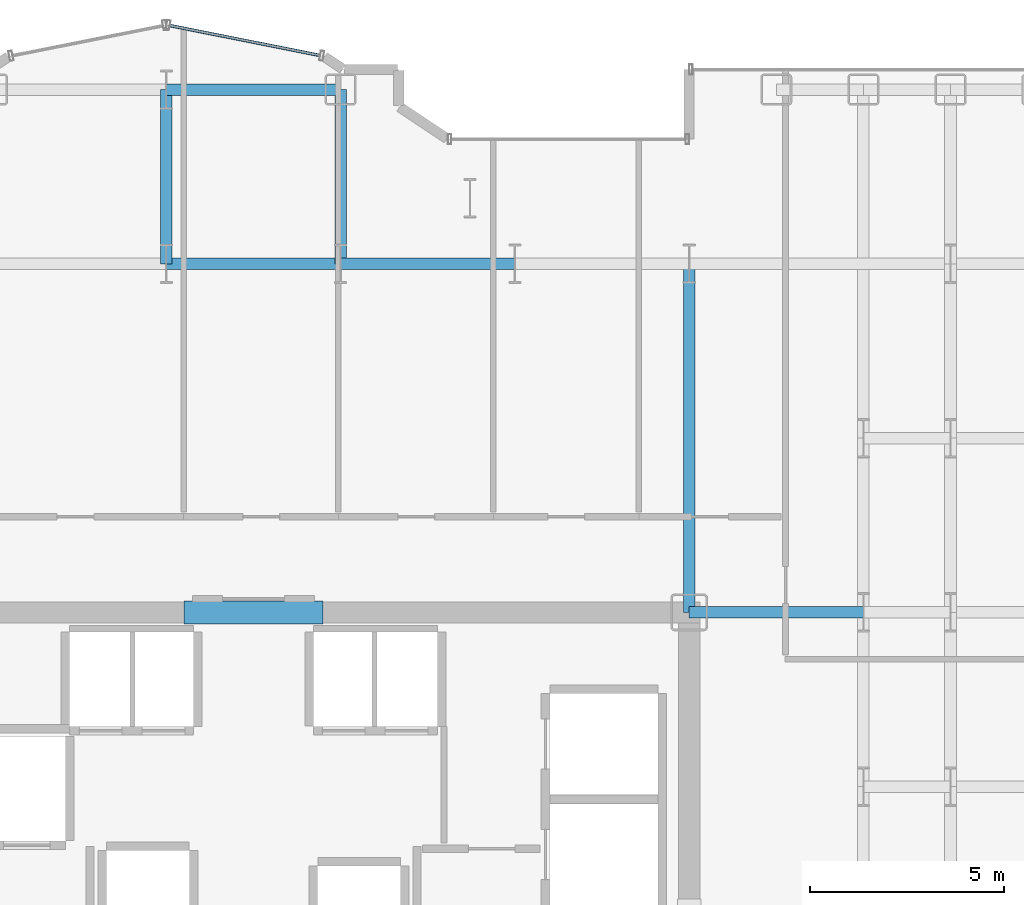
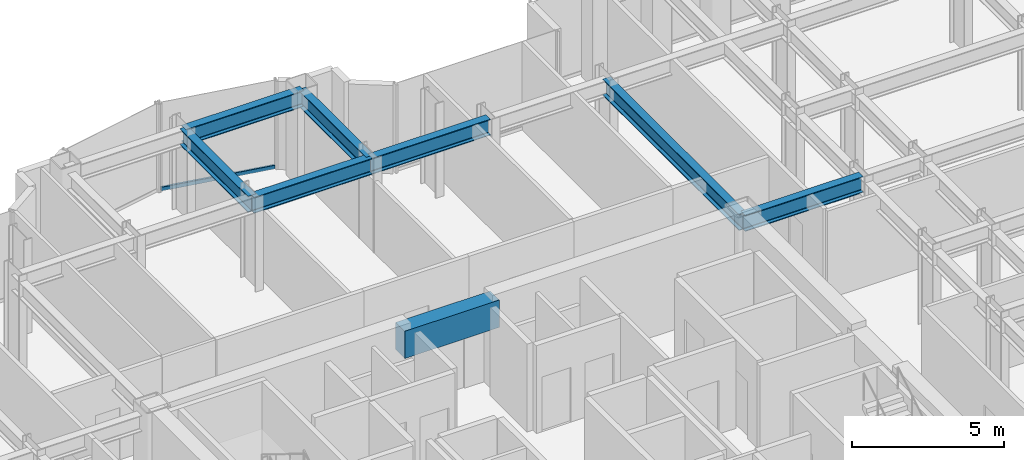
# One storey, part 11 of 26: 8 beams, 1 member, 1 element without a shape of its own.
"""IFC4 building model written with IfcOpenShell, lengths in metres."""

from ifc_helpers import new_model, si_unit, direction, frame, origin, origin_2d, place, context, subcontext, project, spatial, rectangle, hollow_rectangle, i_section, extrude, source, transform, mapped, material, layer, layer_set, material_profile, profile_set, type_object, element, aggregate, save


model = new_model("IFC4")

# Units and contexts
model_context = context("Model", 3, precision=1e-05, world=origin(), true_north=direction((0.0, 1.0)))
body_context = subcontext(model_context, "Body", "Model", "MODEL_VIEW")
ifc_project = project(units=[si_unit("LENGTHUNIT", "METRE"), si_unit("AREAUNIT", "SQUARE_METRE"), si_unit("VOLUMEUNIT", "CUBIC_METRE"), si_unit("PLANEANGLEUNIT", "RADIAN"), si_unit("MASSUNIT", "GRAM", prefix="KILO")], contexts=[model_context])

# Site, building, storey
site_placement = place(None, origin())
site = spatial("IfcSite", under=ifc_project, at=site_placement, CompositionType="ELEMENT")
building_placement = place(site_placement, origin())
building = spatial("IfcBuilding", under=site, at=building_placement, Name="Nefas-Gora Pilgrimage Tower", CompositionType="ELEMENT")
storey_placement = place(building_placement, frame((0.0, 0.0, 121.199951171875)))
storey = spatial("IfcBuildingStorey", under=building, at=storey_placement, Name="L29", CompositionType="ELEMENT", Elevation=121.199951171875)

# Beams
ifc_material_1 = material(Name="Concrete C60/75", Category="concrete")
ifc_material_profile_1 = material_profile(ifc_material_1, rectangle(XDim=0.60009765625, YDim=1.10009765625, at=origin_2d()), Name="RC 600x1100")
ifc_profile_set_1 = profile_set([ifc_material_profile_1], Name="Concrete C60/75")
beam_type_1 = type_object("IfcBeamType", Name="BM-LIN-RC1100", PredefinedType="LINTEL", material=ifc_profile_set_1)
shared_shape_1 = source(origin(), body_context, "Body", "SweptSolid", [
    extrude(rectangle(XDim=0.60009765625, YDim=1.10009765625, at=origin_2d()), origin(), (0.0, 0.0, 1.0), 3.60009765625),
])
beam_1_placement = place(storey_placement, frame((-1.800048828125, 9.0, 3.0), z_axis=(1.0, 0.0, 0.0), x_axis=(0.0, 1.0, 0.0)))
element("IfcBeam", 1, at=beam_1_placement, inside=storey, type_object=beam_type_1, Name="L29 Core Coupling Lintel Beam N", PredefinedType="LINTEL", context=body_context, shape_type="MappedRepresentation", body=[
    mapped(shared_shape_1, transform((0.0, 0.0, 0.0), x_axis=(1.0, 0.0, 0.0), y_axis=(0.0, 1.0, 0.0), z_axis=(0.0, 0.0, 1.0), scale=1.0)),
])
ifc_material_2 = material(Name="Steel S355", Category="steel")
ifc_material_profile_2 = material_profile(ifc_material_2, i_section(OverallWidth=0.300048828125, OverallDepth=0.64990234375, WebThickness=0.01611328125, FlangeThickness=0.031005859375, FilletRadius=0.027099609375, at=origin_2d()), Name="HEB 650")
ifc_profile_set_2 = profile_set([ifc_material_profile_2], Name="Steel S355")
beam_type_2 = type_object("IfcBeamType", Name="BM-GIR-HEB650", PredefinedType="BEAM", material=ifc_profile_set_2)
shared_shape_2 = source(origin(), body_context, "Body", "SweptSolid", [
    extrude(i_section(OverallWidth=0.300048828125, OverallDepth=0.64990234375, WebThickness=0.01611328125, FlangeThickness=0.031005859375, FilletRadius=0.027099609375, at=origin_2d()), origin(), (0.0, 0.0, 1.0), 9.0),
])
beam_2_placement = place(storey_placement, frame((11.25, 9.0, 3.22509765625), z_axis=(0.0, 1.0, 0.0), x_axis=(-1.0, 0.0, 0.0)))
element("IfcBeam", 2, at=beam_2_placement, inside=storey, type_object=beam_type_2, Name="L29 G-03 beam", PredefinedType="BEAM", context=body_context, shape_type="MappedRepresentation", body=[
    mapped(shared_shape_2, transform((0.0, 0.0, 0.0), x_axis=(1.0, 0.0, 0.0), y_axis=(0.0, 1.0, 0.0), z_axis=(0.0, 0.0, 1.0), scale=1.0)),
])
shared_shape_3 = source(origin(), body_context, "Body", "SweptSolid", [
    extrude(i_section(OverallWidth=0.300048828125, OverallDepth=0.64990234375, WebThickness=0.01611328125, FlangeThickness=0.031005859375, FilletRadius=0.027099609375, at=origin_2d()), origin(), (0.0, 0.0, 1.0), 4.5),
])
for number, where, z_axis, x_axis, name in (
    (3, (-2.25, 18.0, 3.22509765625), (0.0, 1.0, 0.0), (-1.0, 0.0, 0.0), "L29 G-03 beam"),
    (4, (-2.25, 18.0, 3.22509765625), (1.0, 0.0, 0.0), (0.0, 1.0, 0.0), "L29 G-03 beam"),
    (5, (-2.25, 22.5, 3.22509765625), (1.0, 0.0, 0.0), (0.0, 1.0, 0.0), "L29 G-03 beam"),
    (6, (2.25, 18.0, 3.22509765625), (0.0, 1.0, 0.0), (-1.0, 0.0, 0.0), "L29 G-03 beam"),
    (7, (2.25, 18.0, 3.22509765625), (1.0, 0.0, 0.0), (0.0, 1.0, 0.0), "L29 G-03 beam"),
    (8, (11.25, 9.0, 3.22509765625), (1.0, 0.0, 0.0), (0.0, 1.0, 0.0), "L29 G-03 beam"),
):
    element("IfcBeam", number, at=place(storey_placement, frame(where, z_axis=z_axis, x_axis=x_axis)), inside=storey, type_object=beam_type_2, Name=name, PredefinedType="BEAM", context=body_context, shape_type="MappedRepresentation", body=[
        mapped(shared_shape_3, transform((0.0, 0.0, 0.0), x_axis=(1.0, 0.0, 0.0), y_axis=(0.0, 1.0, 0.0), z_axis=(0.0, 0.0, 1.0), scale=1.0)),
    ])

# Curtain wall, member
ifc_material_3 = material(Name="Dark ceramic-fritted solar-control aluminium-glass curtain wall", Category="aluminium")
ifc_layer = layer(ifc_material_3, 0.219970703125)
ifc_layer_set = layer_set([ifc_layer], Name="Dark ceramic-fritted solar-control aluminium-glass curtain wall")
curtain_wall_type = type_object("IfcCurtainWallType", Name="CW-SYS-5", PredefinedType="NOTDEFINED", material=ifc_layer_set)
curtain_wall_placement = place(storey_placement, origin())
curtain_wall = element("IfcCurtainWall", 9, at=curtain_wall_placement, inside=storey, type_object=curtain_wall_type, Name="L29 Unitised Curtain Wall CW5", PredefinedType="NOTDEFINED")
ifc_material_4 = material(Name="Anodised architectural aluminium", Category="aluminium")
ifc_material_profile_3 = material_profile(ifc_material_4, hollow_rectangle(XDim=0.080078125, YDim=0.159912109375, WallThickness=0.00439453125, InnerFilletRadius=0.00439453125, OuterFilletRadius=0.009033203125, at=origin_2d()), Name="ALU TRANSOM 80x160")
ifc_profile_set_3 = profile_set([ifc_material_profile_3], Name="Anodised architectural aluminium")
member_type = type_object("IfcMemberType", Name="CWM-TRN-5", PredefinedType="USERDEFINED", material=ifc_profile_set_3)
shared_shape_4 = source(origin(), body_context, "Body", "SweptSolid", [
    extrude(hollow_rectangle(XDim=0.080078125, YDim=0.159912109375, WallThickness=0.00439453125, InnerFilletRadius=0.00439453125, OuterFilletRadius=0.009033203125, at=origin_2d()), origin(), (0.0, 0.0, 1.0), 3.95654296875),
])
member_placement = place(storey_placement, frame((1.718994140625, 23.3828125, 0.050048828125), z_axis=(-0.980781880918, 0.195107411605, 0.0), x_axis=(-0.195107411605, -0.980781880918, 0.0)))
member = element("IfcMember", 10, at=member_placement, type_object=member_type, Name="CW5 Spandrel Transom", ObjectType="TRANSOM", PredefinedType="USERDEFINED", context=body_context, shape_type="MappedRepresentation", body=[
    mapped(shared_shape_4, transform((0.0, 0.0, 0.0), x_axis=(1.0, 0.0, 0.0), y_axis=(0.0, 1.0, 0.0), z_axis=(0.0, 0.0, 1.0), scale=1.0)),
])
aggregate(curtain_wall, [member])

save(model, "model.ifc")
